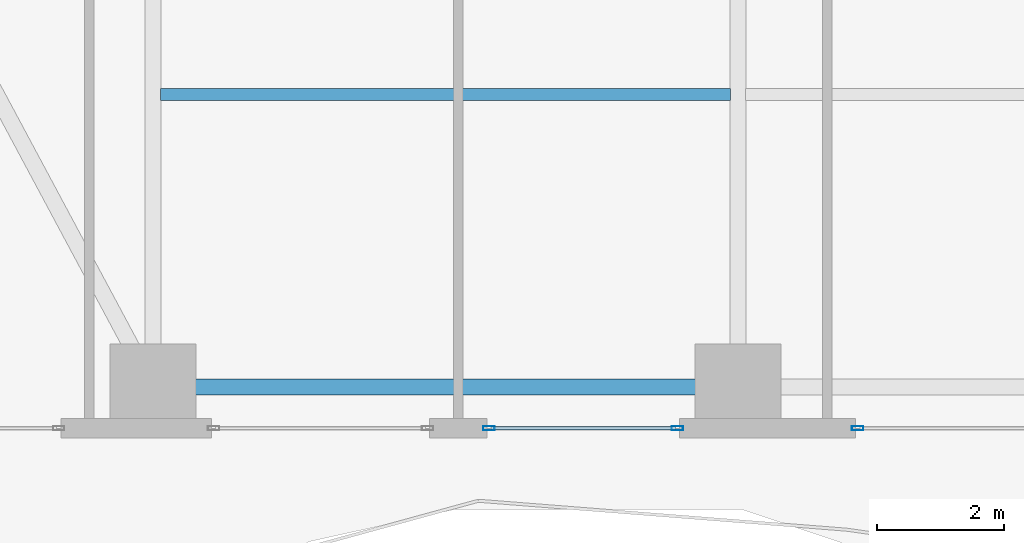
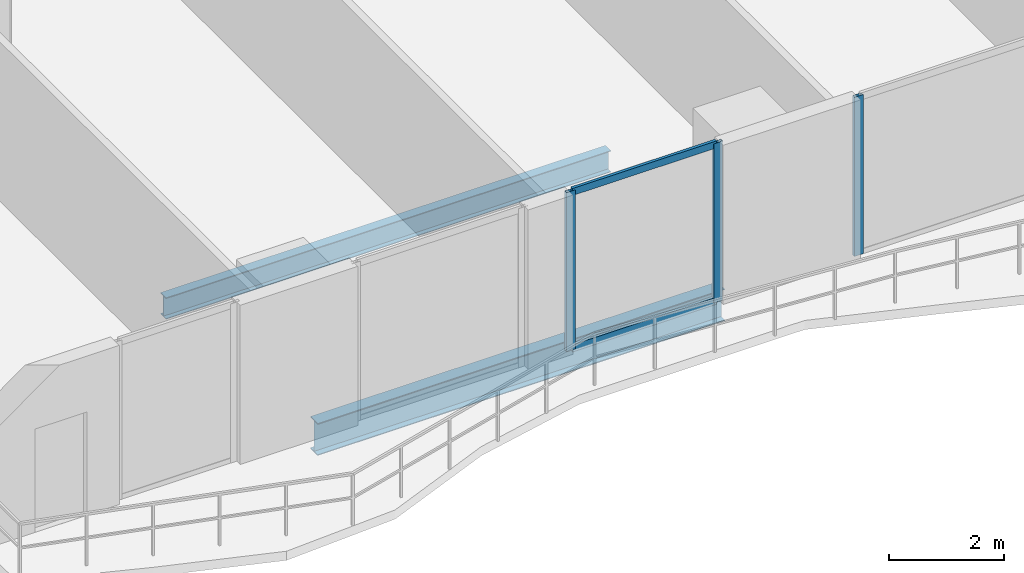
# One storey, part 4 of 29: 5 members, 2 beams, 2 elements without a shape of their own.
"""IFC4 building model written with IfcOpenShell, lengths in metres."""

import ifcopenshell
import ifcopenshell.guid

model = None  # the IFC model being written
_history = None  # IfcOwnerHistory: only IFC2X3 demands one
_inside = {}  # id of a spatial element -> (the spatial element, [elements in it])
_under = {}  # id of a project, library or spatial element -> (it, [spatial elements below it])
_declared = {}  # id of a project -> (the project, [libraries it declares])
_typed = {}  # id of a type object -> (the type object, [elements of that type])
_made_of = {}  # id of a material, layer set ... -> (it, [elements and type objects made of it])


def new_model(schema):
    """Start an empty IFC model of exactly this schema.

    Asked for "IFC4X3", IfcOpenShell would pick the latest addendum, in which some entities
    have other attributes; the version numbers below select the first issue.
    IFC2X3 requires an IfcOwnerHistory on every rooted entity: one is made here for all.
    """
    global model, _history
    if schema == "IFC4X3":
        model = ifcopenshell.file(schema_version=(4, 3, 0, 0))
    else:
        model = ifcopenshell.file(schema=schema)
    _inside.clear()
    _under.clear()
    _declared.clear()
    _typed.clear()
    _made_of.clear()
    _history = None
    if model.schema == "IFC2X3":
        org = make("IfcOrganization", Name="unknown")
        user = make(
            "IfcPersonAndOrganization",
            ThePerson=make("IfcPerson", FamilyName="unknown"),
            TheOrganization=org,
        )
        app = make(
            "IfcApplication",
            ApplicationDeveloper=org,
            Version="unknown",
            ApplicationFullName="unknown",
            ApplicationIdentifier="unknown",
        )
        _history = make(
            "IfcOwnerHistory",
            OwningUser=user,
            OwningApplication=app,
            ChangeAction="ADDED",
            CreationDate=0,
        )
    return model


def make(cls, **values):
    """One entity of the class cls with the attributes given. An attribute that is None is left unset."""
    return model.create_entity(
        cls, **{name: value for name, value in values.items() if value is not None}
    )


def rooted(cls, **values):
    """An entity with a GlobalId (a new one), such as an element, a storey or a relation."""
    return make(cls, GlobalId=ifcopenshell.guid.new(), OwnerHistory=_history, **values)


def si_unit(unit_type, name, prefix=None):
    """IfcSIUnit, for example si_unit("LENGTHUNIT", "METRE", prefix="MILLI")."""
    return make("IfcSIUnit", UnitType=unit_type, Prefix=prefix, Name=name)


def assignment(units):
    """IfcUnitAssignment: the units of a project."""
    return None if units is None else make("IfcUnitAssignment", Units=units)


def point(xyz):
    """IfcCartesianPoint."""
    return None if xyz is None else make("IfcCartesianPoint", Coordinates=xyz)


def direction(xyz):
    """IfcDirection."""
    return None if xyz is None else make("IfcDirection", DirectionRatios=xyz)


def frame(location, z_axis=None, x_axis=None):
    """IfcAxis2Placement3D, a coordinate frame: its origin and axes. An axis left out is left unset."""
    return make(
        "IfcAxis2Placement3D",
        Location=point(location),
        Axis=direction(z_axis),
        RefDirection=direction(x_axis),
    )


def frame_2d(location, x_axis=None):
    """IfcAxis2Placement2D, a coordinate frame in the plane: its origin and x axis."""
    return make(
        "IfcAxis2Placement2D", Location=point(location), RefDirection=direction(x_axis)
    )


def origin():
    """The frame at (0, 0, 0) with its axes left unset."""
    return frame((0.0, 0.0, 0.0))


def origin_2d():
    """The frame at (0, 0) in the plane with its x axis left unset."""
    return frame_2d((0.0, 0.0))


def place(relative_to, where):
    """IfcLocalPlacement: puts the frame where relative to a parent placement (None: the world)."""
    return make(
        "IfcLocalPlacement", PlacementRelTo=relative_to, RelativePlacement=where
    )


def context(
    kind, dimensions, precision=None, world=None, true_north=None, identifier=None
):
    """IfcGeometricRepresentationContext, for example the 3D "Model" context."""
    return make(
        "IfcGeometricRepresentationContext",
        ContextIdentifier=identifier,
        ContextType=kind,
        CoordinateSpaceDimension=dimensions,
        Precision=precision,
        WorldCoordinateSystem=world,
        TrueNorth=true_north,
    )


def subcontext(parent, identifier, kind, view, scale=None):
    """IfcGeometricRepresentationSubContext, for example "Body" below "Model"."""
    return make(
        "IfcGeometricRepresentationSubContext",
        ContextIdentifier=identifier,
        ContextType=kind,
        ParentContext=parent,
        TargetScale=scale,
        TargetView=view,
    )


def project(units=None, contexts=None):
    """IfcProject with its units and contexts."""
    return rooted(
        "IfcProject",
        Name="project",
        RepresentationContexts=contexts,
        UnitsInContext=assignment(units),
    )


def spatial(cls, under=None, at=None, **own):
    """A site, building, storey or space (cls), placed at a placement, below another one or the project."""
    s = rooted(cls, ObjectPlacement=at, **own)
    if under is not None:
        _under.setdefault(under.id(), (under, []))[1].append(s)
    return s


def profile(cls, at=None, kind="AREA", **sizes):
    """A parametric profile (cls). Its sizes go by their IFC names, for example OverallWidth=200.0."""
    return make(cls, ProfileType=kind, Position=at, **sizes)


def hollow_rectangle(**sizes):
    """IfcRectangleHollowProfileDef."""
    return profile("IfcRectangleHollowProfileDef", **sizes)


def i_section(**sizes):
    """IfcIShapeProfileDef."""
    return profile("IfcIShapeProfileDef", **sizes)


def extrude(swept, where, along, depth):
    """IfcExtrudedAreaSolid: the profile swept, set in the frame where, extruded along a direction by depth."""
    return make(
        "IfcExtrudedAreaSolid",
        SweptArea=swept,
        Position=where,
        ExtrudedDirection=direction(along),
        Depth=depth,
    )


def shape(context_of_items, identifier, shape_type, items):
    """IfcShapeRepresentation: the items that make up one representation, for example the "Body"."""
    return make(
        "IfcShapeRepresentation",
        ContextOfItems=context_of_items,
        RepresentationIdentifier=identifier,
        RepresentationType=shape_type,
        Items=items,
    )


def material(Name=None, Category=None):
    """IfcMaterial."""
    return make("IfcMaterial", Name=Name, Category=Category)


def layer(
    of_material, thickness, ventilated=None, Name=None, Category=None, Priority=None
):
    """IfcMaterialLayer: one layer of a wall or slab, of a material (None: an air gap)."""
    return make(
        "IfcMaterialLayer",
        Material=of_material,
        LayerThickness=thickness,
        IsVentilated=ventilated,
        Name=Name,
        Category=Category,
        Priority=Priority,
    )


def layer_set(layers, Name=None):
    """IfcMaterialLayerSet."""
    return make("IfcMaterialLayerSet", MaterialLayers=layers, LayerSetName=Name)


def material_profile(
    of_material, cross_section, Name=None, Category=None, Priority=None
):
    """IfcMaterialProfile: a cross section and its material."""
    return make(
        "IfcMaterialProfile",
        Name=Name,
        Material=of_material,
        Profile=cross_section,
        Priority=Priority,
        Category=Category,
    )


def profile_set(profiles, Name=None, composite=None):
    """IfcMaterialProfileSet."""
    return make(
        "IfcMaterialProfileSet",
        Name=Name,
        MaterialProfiles=profiles,
        CompositeProfile=composite,
    )


def made_of(thing, what):
    """Note that an element or type object is made of a material, layer set ...; save() writes the relation."""
    if what is not None:
        _made_of.setdefault(what.id(), (what, []))[1].append(thing)
    return thing


def type_object(cls, material=None, **own):
    """A type object (cls), such as IfcWallType, which elements share."""
    return made_of(rooted(cls, **own), material)


def element(
    cls,
    number,
    at=None,
    inside=None,
    cuts=None,
    type_object=None,
    material=None,
    context=None,
    identifier="Body",
    shape_type=None,
    held_by="IfcProductDefinitionShape",
    body=None,
    shapes=None,
    **own,
):
    """One element of the class cls, such as IfcWall. Its Tag is "e" and its number.

    at: its placement. inside: the storey or other place that contains it. cuts: it is an
    opening in that element (IfcRelVoidsElement). A single representation is given by context,
    identifier, shape_type and body (its items); several are given by shapes. held_by: the class
    of the entity that holds the representations. save() writes the other relations.
    """
    e = rooted(cls, Tag="e%d" % number, ObjectPlacement=at, **own)
    if body is not None:
        shapes = [shape(context, identifier, shape_type, body)]
    if shapes is not None:
        e.Representation = make(held_by, Representations=shapes)
    if inside is not None:
        _inside.setdefault(inside.id(), (inside, []))[1].append(e)
    if cuts is not None:
        rooted(
            "IfcRelVoidsElement", RelatingBuildingElement=cuts, RelatedOpeningElement=e
        )
    if type_object is not None:
        _typed.setdefault(type_object.id(), (type_object, []))[1].append(e)
    return made_of(e, material)


def aggregate(whole, parts):
    """IfcRelAggregates: a whole, such as a stair, and the parts it consists of."""
    return rooted("IfcRelAggregates", RelatingObject=whole, RelatedObjects=parts)


def save(model, path):
    """Write the relations noted so far, then the file.

    IfcRelAggregates (storeys below a building ...), IfcRelContainedInSpatialStructure (elements
    in a storey), IfcRelDefinesByType, IfcRelAssociatesMaterial and IfcRelDeclares: one each for
    every whole, place, type object, material and project.
    """
    for whole, parts in _under.values():
        aggregate(whole, parts)
    for where, things in _inside.values():
        rooted(
            "IfcRelContainedInSpatialStructure",
            RelatedElements=things,
            RelatingStructure=where,
        )
    for kind, things in _typed.values():
        rooted("IfcRelDefinesByType", RelatedObjects=things, RelatingType=kind)
    for what, things in _made_of.values():
        rooted("IfcRelAssociatesMaterial", RelatedObjects=things, RelatingMaterial=what)
    for by, libraries in _declared.values():
        rooted("IfcRelDeclares", RelatingContext=by, RelatedDefinitions=libraries)
    model.write(path)


model = new_model("IFC4")

# Units and contexts
model_context = context("Model", 3, precision=1e-05, world=origin(), true_north=direction((0.0, 1.0)))
body_context = subcontext(model_context, "Body", "Model", "MODEL_VIEW")
ifc_project = project(units=[si_unit("LENGTHUNIT", "METRE"), si_unit("AREAUNIT", "SQUARE_METRE"), si_unit("VOLUMEUNIT", "CUBIC_METRE"), si_unit("PLANEANGLEUNIT", "RADIAN"), si_unit("MASSUNIT", "GRAM", prefix="KILO")], contexts=[model_context])

# Site, building, storey
site_placement = place(None, origin())
site = spatial("IfcSite", under=ifc_project, at=site_placement, CompositionType="ELEMENT")
building_placement = place(site_placement, origin())
building = spatial("IfcBuilding", under=site, at=building_placement, Name="Zuhayl Quay Hotel", CompositionType="ELEMENT")
storey_placement = place(building_placement, frame((0.0, 0.0, 158.550048828125)))
storey = spatial("IfcBuildingStorey", under=building, at=storey_placement, Name="L40", CompositionType="ELEMENT", Elevation=158.550048828125)

# Beams
ifc_material_1 = material(Name="Steel ASTM A992 Grade 50", Category="steel")
ifc_material_profile_1 = material_profile(ifc_material_1, i_section(OverallWidth=0.25390625, OverallDepth=0.68310546875, WebThickness=0.012451171875, FlangeThickness=0.018798828125, at=origin_2d()), Name="W27X94")
ifc_profile_set_1 = profile_set([ifc_material_profile_1], Name="Steel ASTM A992 Grade 50")
beam_type_1 = type_object("IfcBeamType", Name="BM_B2_W27X94", PredefinedType="BEAM", material=ifc_profile_set_1)
beam_1_placement = place(storey_placement, frame((-13.300048828125, -14.75, -0.5615234375), z_axis=(1.0, 0.0, 0.0), x_axis=(0.0, 1.0, 0.0)))
element("IfcBeam", 1, at=beam_1_placement, inside=storey, type_object=beam_type_1, Name="L40 Floor Beam RG_L40_01", PredefinedType="BEAM", context=body_context, shape_type="SweptSolid", body=[
    extrude(i_section(OverallWidth=0.25390625, OverallDepth=0.68310546875, WebThickness=0.012451171875, FlangeThickness=0.018798828125, at=origin_2d()), origin(), (0.0, 0.0, 1.0), 8.199951171875),
])
ifc_material_profile_2 = material_profile(ifc_material_1, i_section(OverallWidth=0.18994140625, OverallDepth=0.45703125, WebThickness=0.009033203125, FlangeThickness=0.014404296875, at=origin_2d()), Name="W18X50")
ifc_profile_set_2 = profile_set([ifc_material_profile_2], Name="Steel ASTM A992 Grade 50")
beam_type_2 = type_object("IfcBeamType", Name="BM_J2_W18X50", PredefinedType="JOIST", material=ifc_profile_set_2)
beam_2_placement = place(storey_placement, frame((-13.680908203125, -10.14990234375, -0.448486328125), z_axis=(1.0, 0.0, 0.0), x_axis=(0.0, 1.0, 0.0)))
element("IfcBeam", 2, at=beam_2_placement, inside=storey, type_object=beam_type_2, Name="L40 Floor Beam FJ_L40_5_1", PredefinedType="JOIST", context=body_context, shape_type="SweptSolid", body=[
    extrude(i_section(OverallWidth=0.18994140625, OverallDepth=0.45703125, WebThickness=0.009033203125, FlangeThickness=0.014404296875, at=origin_2d()), origin(), (0.0, 0.0, 1.0), 8.9619140625),
])

# Curtain wall, member
ifc_material_2 = material(Name="Anodised Aluminium 6063-T6", Category="aluminium")
ifc_layer = layer(ifc_material_2, 0.179931640625, Name="Anodised Aluminium 6063-T6", Category="aluminium")
ifc_layer_set = layer_set([ifc_layer], Name="Anodised Aluminium 6063-T6")
curtain_wall_type = type_object("IfcCurtainWallType", Name="CW_SYS_Z2", PredefinedType="USERDEFINED", material=ifc_layer_set)
curtain_wall_1_placement = place(storey_placement, origin())
curtain_wall_1 = element("IfcCurtainWall", 3, at=curtain_wall_1_placement, inside=storey, type_object=curtain_wall_type, Name="L40 Curtain Wall ENV_L40_S_CW4", ObjectType="UNITISED CURTAIN WALL", PredefinedType="USERDEFINED")
ifc_material_3 = material(Name="Black-anodised aluminium 6063-T6", Category="aluminium")
ifc_material_profile_3 = material_profile(ifc_material_3, hollow_rectangle(XDim=0.06494140625, YDim=0.179931640625, WallThickness=0.00341796875, at=origin_2d()), Name="ALU180X65")
ifc_profile_set_3 = profile_set([ifc_material_profile_3], Name="Black-anodised aluminium 6063-T6")
member_type_1 = type_object("IfcMemberType", Name="MB_CW_MUL_180", PredefinedType="MULLION", material=ifc_profile_set_3)
member_1_placement = place(storey_placement, frame((-2.717529296875, -15.39990234375, 0.0), z_axis=(0.0, 0.0, 1.0), x_axis=(0.0, -1.0, 0.0)))
member_1 = element("IfcMember", 4, at=member_1_placement, type_object=member_type_1, Name="CW-Z2 mullion 2", PredefinedType="MULLION", context=body_context, shape_type="SweptSolid", body=[
    extrude(hollow_rectangle(XDim=0.06494140625, YDim=0.179931640625, WallThickness=0.00341796875, at=origin_2d()), origin(), (0.0, 0.0, 1.0), 3.389892578125),
])
aggregate(curtain_wall_1, [member_1])

# Curtain wall, members
curtain_wall_2_placement = place(storey_placement, origin())
curtain_wall_2 = element("IfcCurtainWall", 5, at=curtain_wall_2_placement, inside=storey, type_object=curtain_wall_type, Name="L40 Curtain Wall ENV_L40_S_CW5", ObjectType="UNITISED CURTAIN WALL", PredefinedType="USERDEFINED")
member_2_placement = place(storey_placement, frame((-5.552490234375, -15.39990234375, 0.0), z_axis=(0.0, 0.0, 1.0), x_axis=(0.0, -1.0, 0.0)))
member_2 = element("IfcMember", 6, at=member_2_placement, type_object=member_type_1, Name="CW-Z2 mullion 1", PredefinedType="MULLION", context=body_context, shape_type="SweptSolid", body=[
    extrude(hollow_rectangle(XDim=0.06494140625, YDim=0.179931640625, WallThickness=0.00341796875, at=origin_2d()), origin(), (0.0, 0.0, 1.0), 3.389892578125),
])
member_3_placement = place(storey_placement, frame((-8.517578125, -15.39990234375, 0.0), z_axis=(0.0, 0.0, 1.0), x_axis=(0.0, -1.0, 0.0)))
member_3 = element("IfcMember", 7, at=member_3_placement, type_object=member_type_1, Name="CW-Z2 mullion 2", PredefinedType="MULLION", context=body_context, shape_type="SweptSolid", body=[
    extrude(hollow_rectangle(XDim=0.06494140625, YDim=0.179931640625, WallThickness=0.00341796875, at=origin_2d()), origin(), (0.0, 0.0, 1.0), 3.389892578125),
])
ifc_material_profile_4 = material_profile(ifc_material_3, hollow_rectangle(XDim=0.06005859375, YDim=0.14990234375, WallThickness=0.00341796875, at=origin_2d()), Name="ALU150X60")
ifc_profile_set_4 = profile_set([ifc_material_profile_4], Name="Black-anodised aluminium 6063-T6")
member_type_2 = type_object("IfcMemberType", Name="MB_CW_TRN_150", PredefinedType="USERDEFINED", material=ifc_profile_set_4)
member_4_placement = place(storey_placement, frame((-5.5849609375, -15.39990234375, 0.030029296875), z_axis=(-1.0, 0.0, 0.0), x_axis=(0.0, -1.0, 0.0)))
member_4 = element("IfcMember", 8, at=member_4_placement, type_object=member_type_2, Name="CW-Z2 transom 1.1", ObjectType="TRANSOM", PredefinedType="USERDEFINED", context=body_context, shape_type="SweptSolid", body=[
    extrude(hollow_rectangle(XDim=0.06005859375, YDim=0.14990234375, WallThickness=0.00341796875, at=origin_2d()), origin(), (0.0, 0.0, 1.0), 2.900146484375),
])
member_5_placement = place(storey_placement, frame((-5.5849609375, -15.39990234375, 3.35986328125), z_axis=(-1.0, 0.0, 0.0), x_axis=(0.0, -1.0, 0.0)))
member_5 = element("IfcMember", 9, at=member_5_placement, type_object=member_type_2, Name="CW-Z2 transom 1.2", ObjectType="TRANSOM", PredefinedType="USERDEFINED", context=body_context, shape_type="SweptSolid", body=[
    extrude(hollow_rectangle(XDim=0.06005859375, YDim=0.14990234375, WallThickness=0.00341796875, at=origin_2d()), origin(), (0.0, 0.0, 1.0), 2.900146484375),
])
aggregate(curtain_wall_2, [member_2, member_3, member_4, member_5])

save(model, "model.ifc")
